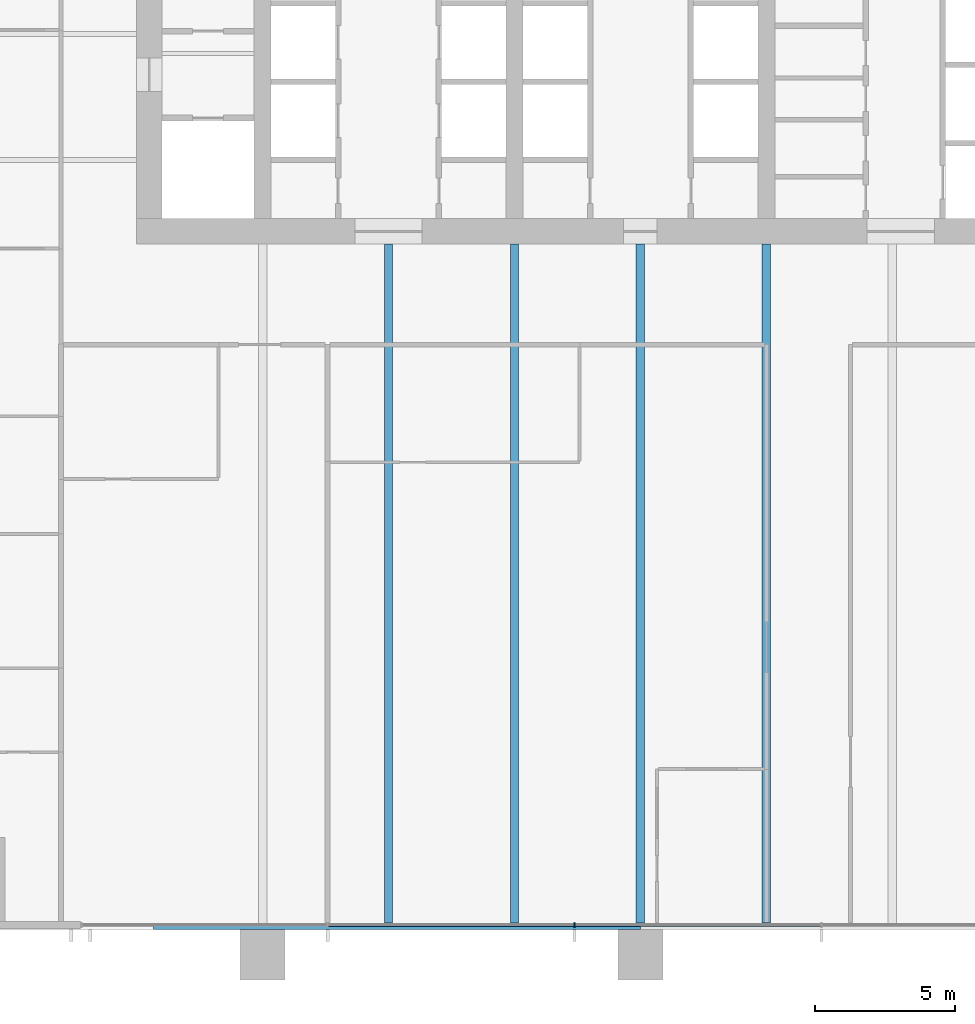
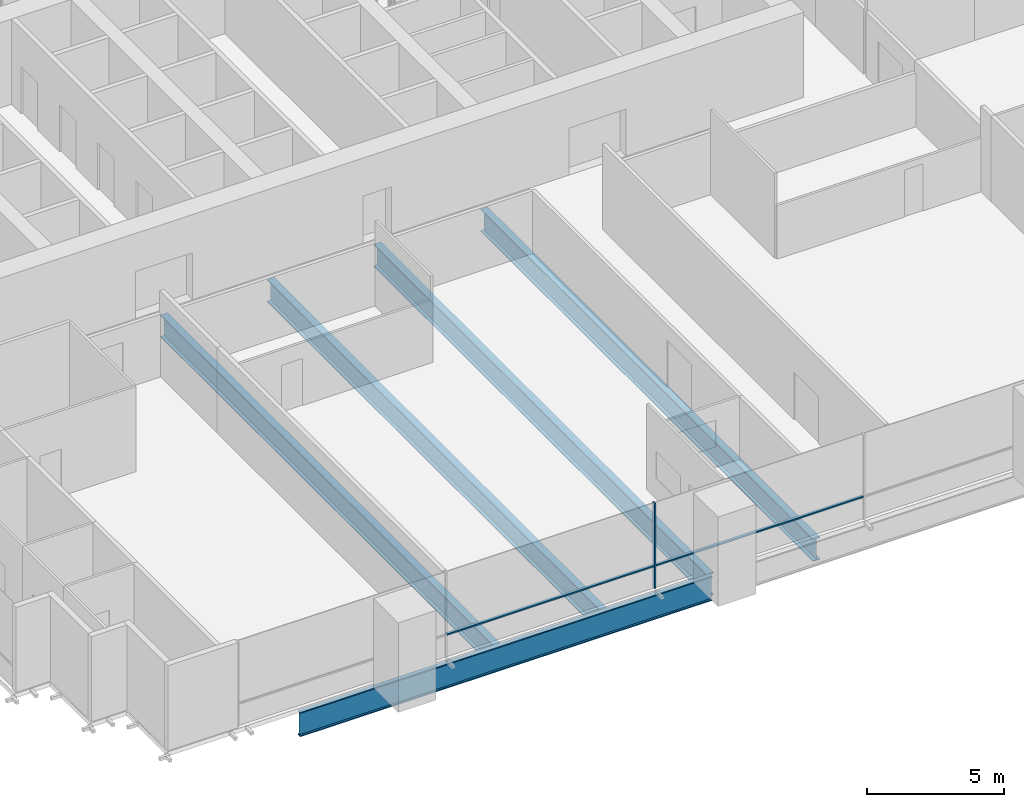
# One storey, part 3 of 17: 5 beams, 3 members, 1 element without a shape of its own.
"""IFC4 building model written with IfcOpenShell, lengths in metres."""

from ifc_helpers import new_model, si_unit, direction, frame, origin, origin_2d, place, context, subcontext, project, spatial, rectangle, i_section, extrude, material, material_profile, profile_set, type_object, element, aggregate, save


model = new_model("IFC4")

# Units and contexts
model_context = context("Model", 3, precision=1e-05, world=origin(), true_north=direction((0.0, 1.0)))
body_context = subcontext(model_context, "Body", "Model", "MODEL_VIEW")
ifc_project = project(units=[si_unit("LENGTHUNIT", "METRE"), si_unit("AREAUNIT", "SQUARE_METRE"), si_unit("VOLUMEUNIT", "CUBIC_METRE"), si_unit("PLANEANGLEUNIT", "RADIAN"), si_unit("MASSUNIT", "GRAM", prefix="KILO")], contexts=[model_context])

# Site, building, storey
site_placement = place(None, origin())
site = spatial("IfcSite", under=ifc_project, at=site_placement, CompositionType="ELEMENT")
building_placement = place(site_placement, origin())
building = spatial("IfcBuilding", under=site, at=building_placement, Name="Rattan Terrace Tower", CompositionType="ELEMENT")
storey_placement = place(building_placement, frame((0.0, 0.0, 95.699951171875)))
storey = spatial("IfcBuildingStorey", under=building, at=storey_placement, Name="L21", CompositionType="ELEMENT", Elevation=95.699951171875)

# Curtain wall, members
ifc_material_1 = material(Name="Aluminium and glass", Category="aluminium")
curtain_wall_type = type_object("IfcCurtainWallType", Name="Facade Unitised Curtain Wall", PredefinedType="NOTDEFINED", material=ifc_material_1)
curtain_wall_placement = place(storey_placement, origin())
curtain_wall = element("IfcCurtainWall", 1, at=curtain_wall_placement, inside=storey, type_object=curtain_wall_type, Name="Curtain wall L21-4", PredefinedType="NOTDEFINED")
ifc_material_2 = material(Name="Aluminium", Category="aluminium")
ifc_material_profile_1 = material_profile(ifc_material_2, rectangle(XDim=0.06005859375, YDim=0.159912109375, at=origin_2d()), Name="Aluminium 60x160")
ifc_profile_set_1 = profile_set([ifc_material_profile_1], Name="Aluminium")
member_type_1 = type_object("IfcMemberType", Name="Facade CW Mullion 60x160", PredefinedType="MULLION", material=ifc_profile_set_1)
member_1_placement = place(storey_placement, frame((-2.35400390625, -31.830078125, 0.0), z_axis=(0.0, 0.0, 1.0), x_axis=(1.0, 0.0, 0.0)))
member_1 = element("IfcMember", 2, at=member_1_placement, type_object=member_type_1, Name="Mullion cwl-L21-004.3", PredefinedType="MULLION", context=body_context, shape_type="SweptSolid", body=[
    extrude(rectangle(XDim=0.06005859375, YDim=0.159912109375, at=origin_2d()), origin(), (0.0, 0.0, 1.0), 3.800048828125),
])
ifc_material_3 = material(Name="Aluminium", Category="aluminium")
ifc_material_profile_2 = material_profile(ifc_material_3, rectangle(XDim=0.1201171875, YDim=0.06005859375, at=origin_2d()), Name="Aluminium 120x60")
ifc_profile_set_2 = profile_set([ifc_material_profile_2], Name="Aluminium")
member_type_2 = type_object("IfcMemberType", Name="Facade CW Transom 120x60", PredefinedType="USERDEFINED", material=ifc_profile_set_2)
member_2_placement = place(storey_placement, frame((-11.14697265625, -31.830078125, 1.0), z_axis=(1.0, 0.0, 0.0), x_axis=(0.0, 1.0, 0.0)))
member_2 = element("IfcMember", 3, at=member_2_placement, type_object=member_type_2, Name="Transom cwl-L21-004.2", ObjectType="TRANSOM", PredefinedType="USERDEFINED", context=body_context, shape_type="SweptSolid", body=[
    extrude(rectangle(XDim=0.1201171875, YDim=0.06005859375, at=origin_2d()), origin(), (0.0, 0.0, 1.0), 8.762939453125),
])
member_3_placement = place(storey_placement, frame((-2.323974609375, -31.830078125, 1.0), z_axis=(1.0, 0.0, 0.0), x_axis=(0.0, 1.0, 0.0)))
member_3 = element("IfcMember", 4, at=member_3_placement, type_object=member_type_2, Name="Transom cwl-L21-004.3", ObjectType="TRANSOM", PredefinedType="USERDEFINED", context=body_context, shape_type="SweptSolid", body=[
    extrude(rectangle(XDim=0.1201171875, YDim=0.06005859375, at=origin_2d()), origin(), (0.0, 0.0, 1.0), 8.762939453125),
])
aggregate(curtain_wall, [member_1, member_2, member_3])

# Beams
ifc_material_4 = material(Name="Steel S460", Category="steel")
ifc_material_profile_3 = material_profile(ifc_material_4, i_section(OverallWidth=0.179931640625, OverallDepth=1.10009765625, WebThickness=0.01611328125, FlangeThickness=0.050048828125, at=origin_2d()), Name="PG 1100x180-16-50")
ifc_profile_set_3 = profile_set([ifc_material_profile_3], Name="Steel S460")
beam_type_1 = type_object("IfcBeamType", Name="Frame edge girder PG 1100x180-16-50", PredefinedType="SPANDREL", material=ifc_profile_set_3)
beam_placement = place(storey_placement, frame((-17.39990234375, -31.909912109375, -0.75), z_axis=(1.0, 0.0, 0.0), x_axis=(0.0, 1.0, 0.0)))
element("IfcBeam", 5, at=beam_placement, inside=storey, type_object=beam_type_1, Name="gdr-L21-001", PredefinedType="SPANDREL", context=body_context, shape_type="SweptSolid", body=[
    extrude(i_section(OverallWidth=0.179931640625, OverallDepth=1.10009765625, WebThickness=0.01611328125, FlangeThickness=0.050048828125, at=origin_2d()), origin(), (0.0, 0.0, 1.0), 17.39990234375),
])
ifc_material_5 = material(Name="Steel S460", Category="steel")
ifc_material_profile_4 = material_profile(ifc_material_5, i_section(OverallWidth=0.300048828125, OverallDepth=1.0, WebThickness=0.013916015625, FlangeThickness=0.0400390625, at=origin_2d()), Name="PG 1000x300-14-40")
ifc_profile_set_4 = profile_set([ifc_material_profile_4], Name="Steel S460")
beam_type_2 = type_object("IfcBeamType", Name="Frame floor beam PG 1000x300-14-40", PredefinedType="JOIST", material=ifc_profile_set_4)
for number, where, z_axis, x_axis, name in (
    (6, (-9.0, -31.820068359375, -0.699951171875), (0.0, 1.0, 0.0), (-1.0, 0.0, 0.0), "bm-L21-004"),
    (7, (-4.5, -31.820068359375, -0.699951171875), (0.0, 1.0, 0.0), (-1.0, 0.0, 0.0), "bm-L21-005"),
    (8, (0.0, -31.820068359375, -0.699951171875), (0.0, 1.0, 0.0), (-1.0, 0.0, 0.0), "bm-L21-006"),
    (9, (4.5, -31.820068359375, -0.699951171875), (0.0, 1.0, 0.0), (-1.0, 0.0, 0.0), "bm-L21-007"),
):
    element("IfcBeam", number, at=place(storey_placement, frame(where, z_axis=z_axis, x_axis=x_axis)), inside=storey, type_object=beam_type_2, Name=name, PredefinedType="JOIST", context=body_context, shape_type="SweptSolid", body=[
        extrude(i_section(OverallWidth=0.300048828125, OverallDepth=1.0, WebThickness=0.013916015625, FlangeThickness=0.0400390625, at=origin_2d()), origin(), (0.0, 0.0, 1.0), 24.320068359375),
    ])

save(model, "model.ifc")
